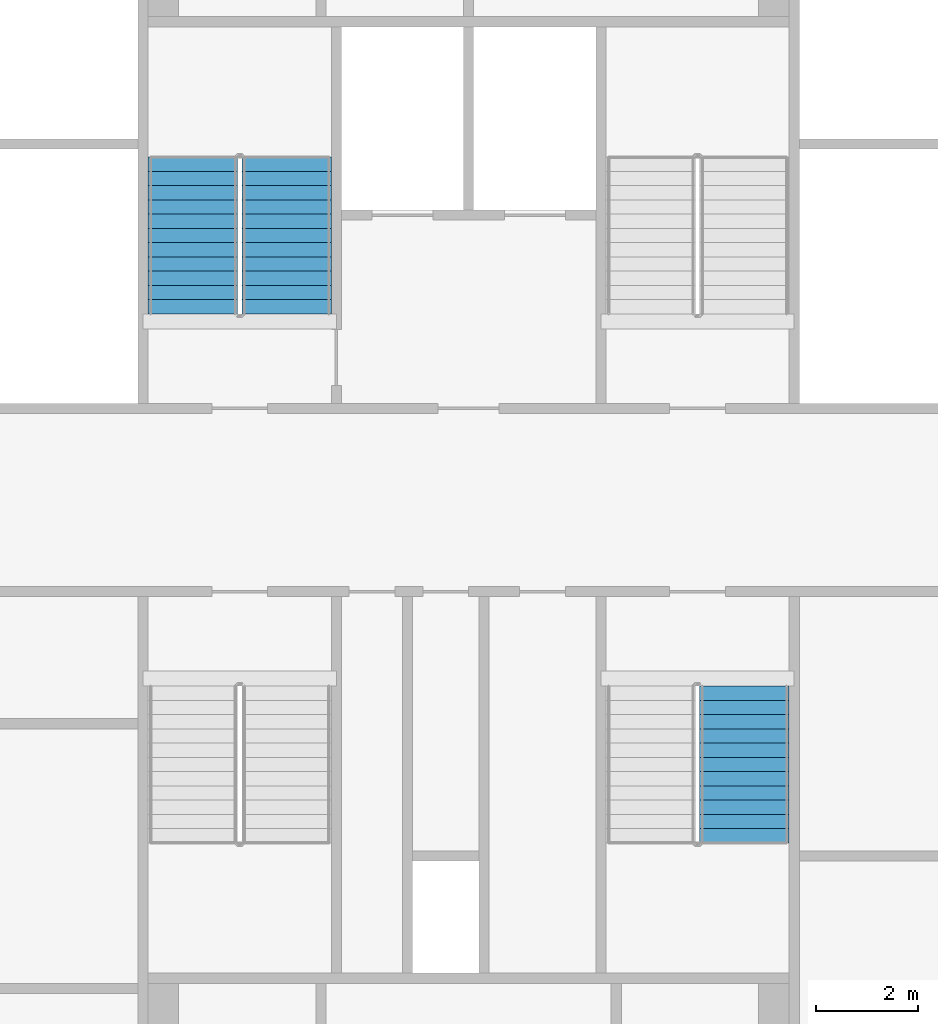
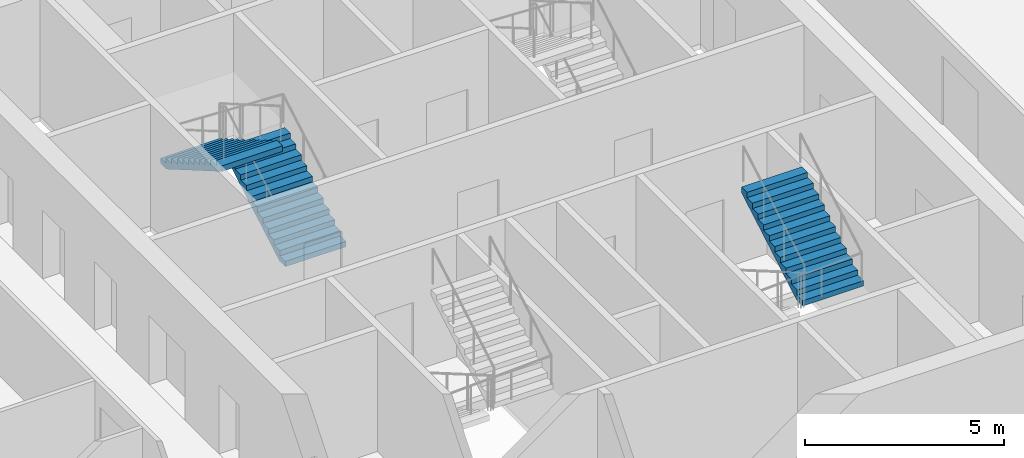
# One storey, part 16 of 22: 3 stair flights, 2 elements without a shape of their own.
"""IFC4 building model written with IfcOpenShell, lengths in metres."""

from ifc_helpers import new_model, si_unit, direction, frame, origin, place, context, subcontext, project, spatial, faceted_brep, material, type_object, element, aggregate, save


model = new_model("IFC4")

# Units and contexts
model_context = context("Model", 3, precision=1e-05, world=origin(), true_north=direction((0.0, 1.0)))
body_context = subcontext(model_context, "Body", "Model", "MODEL_VIEW")
ifc_project = project(units=[si_unit("LENGTHUNIT", "METRE"), si_unit("AREAUNIT", "SQUARE_METRE"), si_unit("VOLUMEUNIT", "CUBIC_METRE"), si_unit("PLANEANGLEUNIT", "RADIAN"), si_unit("MASSUNIT", "GRAM", prefix="KILO")], contexts=[model_context])

# Site, building, storey
site_placement = place(None, origin())
site = spatial("IfcSite", under=ifc_project, at=site_placement, CompositionType="ELEMENT")
building_placement = place(site_placement, origin())
building = spatial("IfcBuilding", under=site, at=building_placement, Name="Tarsis Ring Headquarters", CompositionType="ELEMENT")
storey_placement = place(building_placement, frame((0.0, 0.0, 286.39990234375)))
storey = spatial("IfcBuildingStorey", under=building, at=storey_placement, Name="L67", CompositionType="ELEMENT", Elevation=286.39990234375)

# Stair, stair flights
ifc_material_1 = material(Name="Core stair 1760")
stair_type = type_object("IfcStairType", Name="Core stair 1760", PredefinedType="HALF_TURN_STAIR", material=ifc_material_1)
stair_1_placement = place(storey_placement, origin())
stair_1 = element("IfcStair", 1, at=stair_1_placement, inside=storey, type_object=stair_type, Name="L67 Firefighting stair", PredefinedType="HALF_TURN_STAIR")
ifc_material_2 = material(Name="Concrete C40/50", Category="concrete")
stair_flight_type = type_object("IfcStairFlightType", Name="Core stair flight 1760", PredefinedType="STRAIGHT", material=ifc_material_2)
stair_flight_1_placement = place(storey_placement, frame((-3.580078125, 3.659912109375, 0.0), z_axis=(0.0, 0.0, 1.0), x_axis=(0.0, 1.0, 0.0)))
stair_flight_1 = element("IfcStairFlight", 2, at=stair_flight_1_placement, type_object=stair_flight_type, Name="Stair ST1 flight 1", NumberOfRisers=12, NumberOfTreads=11, PredefinedType="STRAIGHT", RiserHeight=0.1625, TreadLength=0.28, context=body_context, shape_type="Brep", body=[
    faceted_brep([(0.0, 0.8798828125, 0.0), (0.0, 0.8798828125, 0.16259765625), (0.280029296875, 0.8798828125, 0.16259765625), (0.280029296875, 0.8798828125, 0.324951171875), (0.56005859375, 0.8798828125, 0.324951171875), (0.56005859375, 0.8798828125, 0.487548828125), (0.840087890625, 0.8798828125, 0.487548828125), (0.840087890625, 0.8798828125, 0.64990234375), (1.1201171875, 0.8798828125, 0.64990234375), (1.1201171875, 0.8798828125, 0.8125), (1.39990234375, 0.8798828125, 0.8125), (1.39990234375, 0.8798828125, 0.97509765625), (1.679931640625, 0.8798828125, 0.97509765625), (1.679931640625, 0.8798828125, 1.137451171875), (1.9599609375, 0.8798828125, 1.137451171875), (1.9599609375, 0.8798828125, 1.300048828125), (2.239990234375, 0.8798828125, 1.300048828125), (2.239990234375, 0.8798828125, 1.46240234375), (2.52001953125, 0.8798828125, 1.46240234375), (2.52001953125, 0.8798828125, 1.625), (2.800048828125, 0.8798828125, 1.625), (2.800048828125, 0.8798828125, 1.78759765625), (3.080078125, 0.8798828125, 1.78759765625), (3.080078125, 0.8798828125, 1.6142578125), (0.298583984375, 0.8798828125, 0.0), (0.298583984375, -0.8798828125, 0.0), (3.080078125, -0.8798828125, 1.6142578125), (3.080078125, -0.8798828125, 1.78759765625), (2.800048828125, -0.8798828125, 1.78759765625), (2.800048828125, -0.8798828125, 1.625), (2.52001953125, -0.8798828125, 1.625), (2.52001953125, -0.8798828125, 1.46240234375), (2.239990234375, -0.8798828125, 1.46240234375), (2.239990234375, -0.8798828125, 1.300048828125), (1.9599609375, -0.8798828125, 1.300048828125), (1.9599609375, -0.8798828125, 1.137451171875), (1.679931640625, -0.8798828125, 1.137451171875), (1.679931640625, -0.8798828125, 0.97509765625), (1.39990234375, -0.8798828125, 0.97509765625), (1.39990234375, -0.8798828125, 0.8125), (1.1201171875, -0.8798828125, 0.8125), (1.1201171875, -0.8798828125, 0.64990234375), (0.840087890625, -0.8798828125, 0.64990234375), (0.840087890625, -0.8798828125, 0.487548828125), (0.56005859375, -0.8798828125, 0.487548828125), (0.56005859375, -0.8798828125, 0.324951171875), (0.280029296875, -0.8798828125, 0.324951171875), (0.280029296875, -0.8798828125, 0.16259765625), (0.0, -0.8798828125, 0.16259765625), (0.0, -0.8798828125, 0.0), (0.0, -0.43994140625, 0.16259765625), (0.0, -0.43994140625, 0.0), (0.0, 0.0, 0.16259765625), (0.0, 0.0, 0.0), (0.0, 0.43994140625, 0.16259765625), (0.0, 0.43994140625, 0.0), (0.280029296875, -0.43994140625, 0.16259765625), (0.280029296875, 0.0, 0.16259765625), (0.280029296875, 0.43994140625, 0.16259765625), (0.280029296875, -0.43994140625, 0.324951171875), (0.280029296875, 0.0, 0.324951171875), (0.280029296875, 0.43994140625, 0.324951171875), (0.56005859375, -0.43994140625, 0.324951171875), (0.56005859375, 0.0, 0.324951171875), (0.56005859375, 0.43994140625, 0.324951171875), (0.56005859375, -0.43994140625, 0.487548828125), (0.56005859375, 0.0, 0.487548828125), (0.56005859375, 0.43994140625, 0.487548828125), (0.840087890625, -0.43994140625, 0.487548828125), (0.840087890625, 0.0, 0.487548828125), (0.840087890625, 0.43994140625, 0.487548828125), (0.840087890625, -0.43994140625, 0.64990234375), (0.840087890625, 0.0, 0.64990234375), (0.840087890625, 0.43994140625, 0.64990234375), (1.1201171875, -0.43994140625, 0.64990234375), (1.1201171875, 0.0, 0.64990234375), (1.1201171875, 0.43994140625, 0.64990234375), (1.1201171875, -0.43994140625, 0.8125), (1.1201171875, 0.0, 0.8125), (1.1201171875, 0.43994140625, 0.8125), (1.39990234375, -0.43994140625, 0.8125), (1.39990234375, 0.0, 0.8125), (1.39990234375, 0.43994140625, 0.8125), (1.39990234375, -0.43994140625, 0.97509765625), (1.39990234375, 0.0, 0.97509765625), (1.39990234375, 0.43994140625, 0.97509765625), (1.679931640625, -0.43994140625, 0.97509765625), (1.679931640625, 0.0, 0.97509765625), (1.679931640625, 0.43994140625, 0.97509765625), (1.679931640625, -0.43994140625, 1.137451171875), (1.679931640625, 0.0, 1.137451171875), (1.679931640625, 0.43994140625, 1.137451171875), (1.9599609375, -0.43994140625, 1.137451171875), (1.9599609375, 0.0, 1.137451171875), (1.9599609375, 0.43994140625, 1.137451171875), (1.9599609375, -0.43994140625, 1.300048828125), (1.9599609375, 0.0, 1.300048828125), (1.9599609375, 0.43994140625, 1.300048828125), (2.239990234375, -0.43994140625, 1.300048828125), (2.239990234375, 0.0, 1.300048828125), (2.239990234375, 0.43994140625, 1.300048828125), (2.239990234375, -0.43994140625, 1.46240234375), (2.239990234375, 0.0, 1.46240234375), (2.239990234375, 0.43994140625, 1.46240234375), (2.52001953125, -0.43994140625, 1.46240234375), (2.52001953125, 0.0, 1.46240234375), (2.52001953125, 0.43994140625, 1.46240234375), (2.52001953125, -0.43994140625, 1.625), (2.52001953125, 0.0, 1.625), (2.52001953125, 0.43994140625, 1.625), (2.800048828125, -0.43994140625, 1.625), (2.800048828125, 0.0, 1.625), (2.800048828125, 0.43994140625, 1.625), (2.800048828125, -0.43994140625, 1.78759765625), (2.800048828125, 0.0, 1.78759765625), (2.800048828125, 0.43994140625, 1.78759765625), (3.080078125, -0.43994140625, 1.78759765625), (3.080078125, 0.0, 1.78759765625), (3.080078125, 0.43994140625, 1.78759765625), (3.080078125, -0.43994140625, 1.6142578125), (3.080078125, 0.0, 1.6142578125), (3.080078125, 0.43994140625, 1.6142578125), (0.298583984375, -0.43994140625, 0.0), (0.298583984375, 0.0, 0.0), (0.298583984375, 0.43994140625, 0.0)], [[[0, 1, 2, 3, 4, 5, 6, 7, 8, 9, 10, 11, 12, 13, 14, 15, 16, 17, 18, 19, 20, 21, 22, 23, 24]], [[25, 26, 27, 28, 29, 30, 31, 32, 33, 34, 35, 36, 37, 38, 39, 40, 41, 42, 43, 44, 45, 46, 47, 48, 49]], [[49, 48, 50, 51]], [[51, 50, 52, 53]], [[53, 52, 54, 55]], [[55, 54, 1, 0]], [[48, 47, 56, 50]], [[50, 56, 57, 52]], [[52, 57, 58, 54]], [[54, 58, 2, 1]], [[47, 46, 59, 56]], [[56, 59, 60, 57]], [[57, 60, 61, 58]], [[58, 61, 3, 2]], [[46, 45, 62, 59]], [[59, 62, 63, 60]], [[60, 63, 64, 61]], [[61, 64, 4, 3]], [[45, 44, 65, 62]], [[62, 65, 66, 63]], [[63, 66, 67, 64]], [[64, 67, 5, 4]], [[44, 43, 68, 65]], [[65, 68, 69, 66]], [[66, 69, 70, 67]], [[67, 70, 6, 5]], [[43, 42, 71, 68]], [[68, 71, 72, 69]], [[69, 72, 73, 70]], [[70, 73, 7, 6]], [[42, 41, 74, 71]], [[71, 74, 75, 72]], [[72, 75, 76, 73]], [[73, 76, 8, 7]], [[41, 40, 77, 74]], [[74, 77, 78, 75]], [[75, 78, 79, 76]], [[76, 79, 9, 8]], [[40, 39, 80, 77]], [[77, 80, 81, 78]], [[78, 81, 82, 79]], [[79, 82, 10, 9]], [[39, 38, 83, 80]], [[80, 83, 84, 81]], [[81, 84, 85, 82]], [[82, 85, 11, 10]], [[38, 37, 86, 83]], [[83, 86, 87, 84]], [[84, 87, 88, 85]], [[85, 88, 12, 11]], [[37, 36, 89, 86]], [[86, 89, 90, 87]], [[87, 90, 91, 88]], [[88, 91, 13, 12]], [[36, 35, 92, 89]], [[89, 92, 93, 90]], [[90, 93, 94, 91]], [[91, 94, 14, 13]], [[35, 34, 95, 92]], [[92, 95, 96, 93]], [[93, 96, 97, 94]], [[94, 97, 15, 14]], [[34, 33, 98, 95]], [[95, 98, 99, 96]], [[96, 99, 100, 97]], [[97, 100, 16, 15]], [[33, 32, 101, 98]], [[98, 101, 102, 99]], [[99, 102, 103, 100]], [[100, 103, 17, 16]], [[32, 31, 104, 101]], [[101, 104, 105, 102]], [[102, 105, 106, 103]], [[103, 106, 18, 17]], [[31, 30, 107, 104]], [[104, 107, 108, 105]], [[105, 108, 109, 106]], [[106, 109, 19, 18]], [[30, 29, 110, 107]], [[107, 110, 111, 108]], [[108, 111, 112, 109]], [[109, 112, 20, 19]], [[29, 28, 113, 110]], [[110, 113, 114, 111]], [[111, 114, 115, 112]], [[112, 115, 21, 20]], [[28, 27, 116, 113]], [[113, 116, 117, 114]], [[114, 117, 118, 115]], [[115, 118, 22, 21]], [[27, 26, 119, 116]], [[116, 119, 120, 117]], [[117, 120, 121, 118]], [[118, 121, 23, 22]], [[26, 25, 122, 119]], [[119, 122, 123, 120]], [[120, 123, 124, 121]], [[121, 124, 24, 23]], [[25, 49, 51, 122]], [[122, 51, 53, 123]], [[123, 53, 55, 124]], [[124, 55, 0, 24]]]),
])
stair_flight_2_placement = place(storey_placement, frame((-5.419921875, 6.739990234375, 1.9501953125), z_axis=(0.0, 0.0, 1.0), x_axis=(0.0, -1.0, 0.0)))
stair_flight_2 = element("IfcStairFlight", 3, at=stair_flight_2_placement, type_object=stair_flight_type, Name="Stair ST1 flight 2", NumberOfRisers=12, NumberOfTreads=11, PredefinedType="STRAIGHT", RiserHeight=0.1625, TreadLength=0.28, context=body_context, shape_type="Brep", body=[
    faceted_brep([(0.0, 0.8798828125, 0.0), (0.0, 0.8798828125, 0.16259765625), (0.280029296875, 0.8798828125, 0.16259765625), (0.280029296875, 0.8798828125, 0.324951171875), (0.56005859375, 0.8798828125, 0.324951171875), (0.56005859375, 0.8798828125, 0.487548828125), (0.840087890625, 0.8798828125, 0.487548828125), (0.840087890625, 0.8798828125, 0.64990234375), (1.1201171875, 0.8798828125, 0.64990234375), (1.1201171875, 0.8798828125, 0.8125), (1.39990234375, 0.8798828125, 0.8125), (1.39990234375, 0.8798828125, 0.97509765625), (1.679931640625, 0.8798828125, 0.97509765625), (1.679931640625, 0.8798828125, 1.137451171875), (1.9599609375, 0.8798828125, 1.137451171875), (1.9599609375, 0.8798828125, 1.300048828125), (2.239990234375, 0.8798828125, 1.300048828125), (2.239990234375, 0.8798828125, 1.46240234375), (2.52001953125, 0.8798828125, 1.46240234375), (2.52001953125, 0.8798828125, 1.625), (2.800048828125, 0.8798828125, 1.625), (2.800048828125, 0.8798828125, 1.78759765625), (3.080078125, 0.8798828125, 1.78759765625), (3.080078125, 0.8798828125, 1.6142578125), (0.298583984375, 0.8798828125, 0.0), (0.298583984375, -0.8798828125, 0.0), (3.080078125, -0.8798828125, 1.6142578125), (3.080078125, -0.8798828125, 1.78759765625), (2.800048828125, -0.8798828125, 1.78759765625), (2.800048828125, -0.8798828125, 1.625), (2.52001953125, -0.8798828125, 1.625), (2.52001953125, -0.8798828125, 1.46240234375), (2.239990234375, -0.8798828125, 1.46240234375), (2.239990234375, -0.8798828125, 1.300048828125), (1.9599609375, -0.8798828125, 1.300048828125), (1.9599609375, -0.8798828125, 1.137451171875), (1.679931640625, -0.8798828125, 1.137451171875), (1.679931640625, -0.8798828125, 0.97509765625), (1.39990234375, -0.8798828125, 0.97509765625), (1.39990234375, -0.8798828125, 0.8125), (1.1201171875, -0.8798828125, 0.8125), (1.1201171875, -0.8798828125, 0.64990234375), (0.840087890625, -0.8798828125, 0.64990234375), (0.840087890625, -0.8798828125, 0.487548828125), (0.56005859375, -0.8798828125, 0.487548828125), (0.56005859375, -0.8798828125, 0.324951171875), (0.280029296875, -0.8798828125, 0.324951171875), (0.280029296875, -0.8798828125, 0.16259765625), (0.0, -0.8798828125, 0.16259765625), (0.0, -0.8798828125, 0.0), (0.0, -0.43994140625, 0.16259765625), (0.0, -0.43994140625, 0.0), (0.0, 0.0, 0.16259765625), (0.0, 0.0, 0.0), (0.0, 0.43994140625, 0.16259765625), (0.0, 0.43994140625, 0.0), (0.280029296875, -0.43994140625, 0.16259765625), (0.280029296875, 0.0, 0.16259765625), (0.280029296875, 0.43994140625, 0.16259765625), (0.280029296875, -0.43994140625, 0.324951171875), (0.280029296875, 0.0, 0.324951171875), (0.280029296875, 0.43994140625, 0.324951171875), (0.56005859375, -0.43994140625, 0.324951171875), (0.56005859375, 0.0, 0.324951171875), (0.56005859375, 0.43994140625, 0.324951171875), (0.56005859375, -0.43994140625, 0.487548828125), (0.56005859375, 0.0, 0.487548828125), (0.56005859375, 0.43994140625, 0.487548828125), (0.840087890625, -0.43994140625, 0.487548828125), (0.840087890625, 0.0, 0.487548828125), (0.840087890625, 0.43994140625, 0.487548828125), (0.840087890625, -0.43994140625, 0.64990234375), (0.840087890625, 0.0, 0.64990234375), (0.840087890625, 0.43994140625, 0.64990234375), (1.1201171875, -0.43994140625, 0.64990234375), (1.1201171875, 0.0, 0.64990234375), (1.1201171875, 0.43994140625, 0.64990234375), (1.1201171875, -0.43994140625, 0.8125), (1.1201171875, 0.0, 0.8125), (1.1201171875, 0.43994140625, 0.8125), (1.39990234375, -0.43994140625, 0.8125), (1.39990234375, 0.0, 0.8125), (1.39990234375, 0.43994140625, 0.8125), (1.39990234375, -0.43994140625, 0.97509765625), (1.39990234375, 0.0, 0.97509765625), (1.39990234375, 0.43994140625, 0.97509765625), (1.679931640625, -0.43994140625, 0.97509765625), (1.679931640625, 0.0, 0.97509765625), (1.679931640625, 0.43994140625, 0.97509765625), (1.679931640625, -0.43994140625, 1.137451171875), (1.679931640625, 0.0, 1.137451171875), (1.679931640625, 0.43994140625, 1.137451171875), (1.9599609375, -0.43994140625, 1.137451171875), (1.9599609375, 0.0, 1.137451171875), (1.9599609375, 0.43994140625, 1.137451171875), (1.9599609375, -0.43994140625, 1.300048828125), (1.9599609375, 0.0, 1.300048828125), (1.9599609375, 0.43994140625, 1.300048828125), (2.239990234375, -0.43994140625, 1.300048828125), (2.239990234375, 0.0, 1.300048828125), (2.239990234375, 0.43994140625, 1.300048828125), (2.239990234375, -0.43994140625, 1.46240234375), (2.239990234375, 0.0, 1.46240234375), (2.239990234375, 0.43994140625, 1.46240234375), (2.52001953125, -0.43994140625, 1.46240234375), (2.52001953125, 0.0, 1.46240234375), (2.52001953125, 0.43994140625, 1.46240234375), (2.52001953125, -0.43994140625, 1.625), (2.52001953125, 0.0, 1.625), (2.52001953125, 0.43994140625, 1.625), (2.800048828125, -0.43994140625, 1.625), (2.800048828125, 0.0, 1.625), (2.800048828125, 0.43994140625, 1.625), (2.800048828125, -0.43994140625, 1.78759765625), (2.800048828125, 0.0, 1.78759765625), (2.800048828125, 0.43994140625, 1.78759765625), (3.080078125, -0.43994140625, 1.78759765625), (3.080078125, 0.0, 1.78759765625), (3.080078125, 0.43994140625, 1.78759765625), (3.080078125, -0.43994140625, 1.6142578125), (3.080078125, 0.0, 1.6142578125), (3.080078125, 0.43994140625, 1.6142578125), (0.298583984375, -0.43994140625, 0.0), (0.298583984375, 0.0, 0.0), (0.298583984375, 0.43994140625, 0.0)], [[[0, 1, 2, 3, 4, 5, 6, 7, 8, 9, 10, 11, 12, 13, 14, 15, 16, 17, 18, 19, 20, 21, 22, 23, 24]], [[25, 26, 27, 28, 29, 30, 31, 32, 33, 34, 35, 36, 37, 38, 39, 40, 41, 42, 43, 44, 45, 46, 47, 48, 49]], [[49, 48, 50, 51]], [[51, 50, 52, 53]], [[53, 52, 54, 55]], [[55, 54, 1, 0]], [[48, 47, 56, 50]], [[50, 56, 57, 52]], [[52, 57, 58, 54]], [[54, 58, 2, 1]], [[47, 46, 59, 56]], [[56, 59, 60, 57]], [[57, 60, 61, 58]], [[58, 61, 3, 2]], [[46, 45, 62, 59]], [[59, 62, 63, 60]], [[60, 63, 64, 61]], [[61, 64, 4, 3]], [[45, 44, 65, 62]], [[62, 65, 66, 63]], [[63, 66, 67, 64]], [[64, 67, 5, 4]], [[44, 43, 68, 65]], [[65, 68, 69, 66]], [[66, 69, 70, 67]], [[67, 70, 6, 5]], [[43, 42, 71, 68]], [[68, 71, 72, 69]], [[69, 72, 73, 70]], [[70, 73, 7, 6]], [[42, 41, 74, 71]], [[71, 74, 75, 72]], [[72, 75, 76, 73]], [[73, 76, 8, 7]], [[41, 40, 77, 74]], [[74, 77, 78, 75]], [[75, 78, 79, 76]], [[76, 79, 9, 8]], [[40, 39, 80, 77]], [[77, 80, 81, 78]], [[78, 81, 82, 79]], [[79, 82, 10, 9]], [[39, 38, 83, 80]], [[80, 83, 84, 81]], [[81, 84, 85, 82]], [[82, 85, 11, 10]], [[38, 37, 86, 83]], [[83, 86, 87, 84]], [[84, 87, 88, 85]], [[85, 88, 12, 11]], [[37, 36, 89, 86]], [[86, 89, 90, 87]], [[87, 90, 91, 88]], [[88, 91, 13, 12]], [[36, 35, 92, 89]], [[89, 92, 93, 90]], [[90, 93, 94, 91]], [[91, 94, 14, 13]], [[35, 34, 95, 92]], [[92, 95, 96, 93]], [[93, 96, 97, 94]], [[94, 97, 15, 14]], [[34, 33, 98, 95]], [[95, 98, 99, 96]], [[96, 99, 100, 97]], [[97, 100, 16, 15]], [[33, 32, 101, 98]], [[98, 101, 102, 99]], [[99, 102, 103, 100]], [[100, 103, 17, 16]], [[32, 31, 104, 101]], [[101, 104, 105, 102]], [[102, 105, 106, 103]], [[103, 106, 18, 17]], [[31, 30, 107, 104]], [[104, 107, 108, 105]], [[105, 108, 109, 106]], [[106, 109, 19, 18]], [[30, 29, 110, 107]], [[107, 110, 111, 108]], [[108, 111, 112, 109]], [[109, 112, 20, 19]], [[29, 28, 113, 110]], [[110, 113, 114, 111]], [[111, 114, 115, 112]], [[112, 115, 21, 20]], [[28, 27, 116, 113]], [[113, 116, 117, 114]], [[114, 117, 118, 115]], [[115, 118, 22, 21]], [[27, 26, 119, 116]], [[116, 119, 120, 117]], [[117, 120, 121, 118]], [[118, 121, 23, 22]], [[26, 25, 122, 119]], [[119, 122, 123, 120]], [[120, 123, 124, 121]], [[121, 124, 24, 23]], [[25, 49, 51, 122]], [[122, 51, 53, 123]], [[123, 53, 55, 124]], [[124, 55, 0, 24]]]),
])
aggregate(stair_1, [stair_flight_1, stair_flight_2])

# Stair, stair flight
stair_2_placement = place(storey_placement, origin())
stair_2 = element("IfcStair", 4, at=stair_2_placement, inside=storey, type_object=stair_type, Name="L67 Exit stair D", PredefinedType="HALF_TURN_STAIR")
stair_flight_3_placement = place(storey_placement, frame((5.419921875, -6.739990234375, 1.9501953125), z_axis=(0.0, 0.0, 1.0), x_axis=(0.0, 1.0, 0.0)))
stair_flight_3 = element("IfcStairFlight", 5, at=stair_flight_3_placement, type_object=stair_flight_type, Name="Stair ST4 flight 2", NumberOfRisers=12, NumberOfTreads=11, PredefinedType="STRAIGHT", RiserHeight=0.1625, TreadLength=0.28, context=body_context, shape_type="Brep", body=[
    faceted_brep([(0.0, 0.8798828125, 0.0), (0.0, 0.8798828125, 0.16259765625), (0.280029296875, 0.8798828125, 0.16259765625), (0.280029296875, 0.8798828125, 0.324951171875), (0.56005859375, 0.8798828125, 0.324951171875), (0.56005859375, 0.8798828125, 0.487548828125), (0.840087890625, 0.8798828125, 0.487548828125), (0.840087890625, 0.8798828125, 0.64990234375), (1.1201171875, 0.8798828125, 0.64990234375), (1.1201171875, 0.8798828125, 0.8125), (1.39990234375, 0.8798828125, 0.8125), (1.39990234375, 0.8798828125, 0.97509765625), (1.679931640625, 0.8798828125, 0.97509765625), (1.679931640625, 0.8798828125, 1.137451171875), (1.9599609375, 0.8798828125, 1.137451171875), (1.9599609375, 0.8798828125, 1.300048828125), (2.239990234375, 0.8798828125, 1.300048828125), (2.239990234375, 0.8798828125, 1.46240234375), (2.52001953125, 0.8798828125, 1.46240234375), (2.52001953125, 0.8798828125, 1.625), (2.800048828125, 0.8798828125, 1.625), (2.800048828125, 0.8798828125, 1.78759765625), (3.080078125, 0.8798828125, 1.78759765625), (3.080078125, 0.8798828125, 1.6142578125), (0.298583984375, 0.8798828125, 0.0), (0.298583984375, -0.8798828125, 0.0), (3.080078125, -0.8798828125, 1.6142578125), (3.080078125, -0.8798828125, 1.78759765625), (2.800048828125, -0.8798828125, 1.78759765625), (2.800048828125, -0.8798828125, 1.625), (2.52001953125, -0.8798828125, 1.625), (2.52001953125, -0.8798828125, 1.46240234375), (2.239990234375, -0.8798828125, 1.46240234375), (2.239990234375, -0.8798828125, 1.300048828125), (1.9599609375, -0.8798828125, 1.300048828125), (1.9599609375, -0.8798828125, 1.137451171875), (1.679931640625, -0.8798828125, 1.137451171875), (1.679931640625, -0.8798828125, 0.97509765625), (1.39990234375, -0.8798828125, 0.97509765625), (1.39990234375, -0.8798828125, 0.8125), (1.1201171875, -0.8798828125, 0.8125), (1.1201171875, -0.8798828125, 0.64990234375), (0.840087890625, -0.8798828125, 0.64990234375), (0.840087890625, -0.8798828125, 0.487548828125), (0.56005859375, -0.8798828125, 0.487548828125), (0.56005859375, -0.8798828125, 0.324951171875), (0.280029296875, -0.8798828125, 0.324951171875), (0.280029296875, -0.8798828125, 0.16259765625), (0.0, -0.8798828125, 0.16259765625), (0.0, -0.8798828125, 0.0), (0.0, -0.43994140625, 0.16259765625), (0.0, -0.43994140625, 0.0), (0.0, 0.0, 0.16259765625), (0.0, 0.0, 0.0), (0.0, 0.43994140625, 0.16259765625), (0.0, 0.43994140625, 0.0), (0.280029296875, -0.43994140625, 0.16259765625), (0.280029296875, 0.0, 0.16259765625), (0.280029296875, 0.43994140625, 0.16259765625), (0.280029296875, -0.43994140625, 0.324951171875), (0.280029296875, 0.0, 0.324951171875), (0.280029296875, 0.43994140625, 0.324951171875), (0.56005859375, -0.43994140625, 0.324951171875), (0.56005859375, 0.0, 0.324951171875), (0.56005859375, 0.43994140625, 0.324951171875), (0.56005859375, -0.43994140625, 0.487548828125), (0.56005859375, 0.0, 0.487548828125), (0.56005859375, 0.43994140625, 0.487548828125), (0.840087890625, -0.43994140625, 0.487548828125), (0.840087890625, 0.0, 0.487548828125), (0.840087890625, 0.43994140625, 0.487548828125), (0.840087890625, -0.43994140625, 0.64990234375), (0.840087890625, 0.0, 0.64990234375), (0.840087890625, 0.43994140625, 0.64990234375), (1.1201171875, -0.43994140625, 0.64990234375), (1.1201171875, 0.0, 0.64990234375), (1.1201171875, 0.43994140625, 0.64990234375), (1.1201171875, -0.43994140625, 0.8125), (1.1201171875, 0.0, 0.8125), (1.1201171875, 0.43994140625, 0.8125), (1.39990234375, -0.43994140625, 0.8125), (1.39990234375, 0.0, 0.8125), (1.39990234375, 0.43994140625, 0.8125), (1.39990234375, -0.43994140625, 0.97509765625), (1.39990234375, 0.0, 0.97509765625), (1.39990234375, 0.43994140625, 0.97509765625), (1.679931640625, -0.43994140625, 0.97509765625), (1.679931640625, 0.0, 0.97509765625), (1.679931640625, 0.43994140625, 0.97509765625), (1.679931640625, -0.43994140625, 1.137451171875), (1.679931640625, 0.0, 1.137451171875), (1.679931640625, 0.43994140625, 1.137451171875), (1.9599609375, -0.43994140625, 1.137451171875), (1.9599609375, 0.0, 1.137451171875), (1.9599609375, 0.43994140625, 1.137451171875), (1.9599609375, -0.43994140625, 1.300048828125), (1.9599609375, 0.0, 1.300048828125), (1.9599609375, 0.43994140625, 1.300048828125), (2.239990234375, -0.43994140625, 1.300048828125), (2.239990234375, 0.0, 1.300048828125), (2.239990234375, 0.43994140625, 1.300048828125), (2.239990234375, -0.43994140625, 1.46240234375), (2.239990234375, 0.0, 1.46240234375), (2.239990234375, 0.43994140625, 1.46240234375), (2.52001953125, -0.43994140625, 1.46240234375), (2.52001953125, 0.0, 1.46240234375), (2.52001953125, 0.43994140625, 1.46240234375), (2.52001953125, -0.43994140625, 1.625), (2.52001953125, 0.0, 1.625), (2.52001953125, 0.43994140625, 1.625), (2.800048828125, -0.43994140625, 1.625), (2.800048828125, 0.0, 1.625), (2.800048828125, 0.43994140625, 1.625), (2.800048828125, -0.43994140625, 1.78759765625), (2.800048828125, 0.0, 1.78759765625), (2.800048828125, 0.43994140625, 1.78759765625), (3.080078125, -0.43994140625, 1.78759765625), (3.080078125, 0.0, 1.78759765625), (3.080078125, 0.43994140625, 1.78759765625), (3.080078125, -0.43994140625, 1.6142578125), (3.080078125, 0.0, 1.6142578125), (3.080078125, 0.43994140625, 1.6142578125), (0.298583984375, -0.43994140625, 0.0), (0.298583984375, 0.0, 0.0), (0.298583984375, 0.43994140625, 0.0)], [[[0, 1, 2, 3, 4, 5, 6, 7, 8, 9, 10, 11, 12, 13, 14, 15, 16, 17, 18, 19, 20, 21, 22, 23, 24]], [[25, 26, 27, 28, 29, 30, 31, 32, 33, 34, 35, 36, 37, 38, 39, 40, 41, 42, 43, 44, 45, 46, 47, 48, 49]], [[49, 48, 50, 51]], [[51, 50, 52, 53]], [[53, 52, 54, 55]], [[55, 54, 1, 0]], [[48, 47, 56, 50]], [[50, 56, 57, 52]], [[52, 57, 58, 54]], [[54, 58, 2, 1]], [[47, 46, 59, 56]], [[56, 59, 60, 57]], [[57, 60, 61, 58]], [[58, 61, 3, 2]], [[46, 45, 62, 59]], [[59, 62, 63, 60]], [[60, 63, 64, 61]], [[61, 64, 4, 3]], [[45, 44, 65, 62]], [[62, 65, 66, 63]], [[63, 66, 67, 64]], [[64, 67, 5, 4]], [[44, 43, 68, 65]], [[65, 68, 69, 66]], [[66, 69, 70, 67]], [[67, 70, 6, 5]], [[43, 42, 71, 68]], [[68, 71, 72, 69]], [[69, 72, 73, 70]], [[70, 73, 7, 6]], [[42, 41, 74, 71]], [[71, 74, 75, 72]], [[72, 75, 76, 73]], [[73, 76, 8, 7]], [[41, 40, 77, 74]], [[74, 77, 78, 75]], [[75, 78, 79, 76]], [[76, 79, 9, 8]], [[40, 39, 80, 77]], [[77, 80, 81, 78]], [[78, 81, 82, 79]], [[79, 82, 10, 9]], [[39, 38, 83, 80]], [[80, 83, 84, 81]], [[81, 84, 85, 82]], [[82, 85, 11, 10]], [[38, 37, 86, 83]], [[83, 86, 87, 84]], [[84, 87, 88, 85]], [[85, 88, 12, 11]], [[37, 36, 89, 86]], [[86, 89, 90, 87]], [[87, 90, 91, 88]], [[88, 91, 13, 12]], [[36, 35, 92, 89]], [[89, 92, 93, 90]], [[90, 93, 94, 91]], [[91, 94, 14, 13]], [[35, 34, 95, 92]], [[92, 95, 96, 93]], [[93, 96, 97, 94]], [[94, 97, 15, 14]], [[34, 33, 98, 95]], [[95, 98, 99, 96]], [[96, 99, 100, 97]], [[97, 100, 16, 15]], [[33, 32, 101, 98]], [[98, 101, 102, 99]], [[99, 102, 103, 100]], [[100, 103, 17, 16]], [[32, 31, 104, 101]], [[101, 104, 105, 102]], [[102, 105, 106, 103]], [[103, 106, 18, 17]], [[31, 30, 107, 104]], [[104, 107, 108, 105]], [[105, 108, 109, 106]], [[106, 109, 19, 18]], [[30, 29, 110, 107]], [[107, 110, 111, 108]], [[108, 111, 112, 109]], [[109, 112, 20, 19]], [[29, 28, 113, 110]], [[110, 113, 114, 111]], [[111, 114, 115, 112]], [[112, 115, 21, 20]], [[28, 27, 116, 113]], [[113, 116, 117, 114]], [[114, 117, 118, 115]], [[115, 118, 22, 21]], [[27, 26, 119, 116]], [[116, 119, 120, 117]], [[117, 120, 121, 118]], [[118, 121, 23, 22]], [[26, 25, 122, 119]], [[119, 122, 123, 120]], [[120, 123, 124, 121]], [[121, 124, 24, 23]], [[25, 49, 51, 122]], [[122, 51, 53, 123]], [[123, 53, 55, 124]], [[124, 55, 0, 24]]]),
])
aggregate(stair_2, [stair_flight_3])

save(model, "model.ifc")
